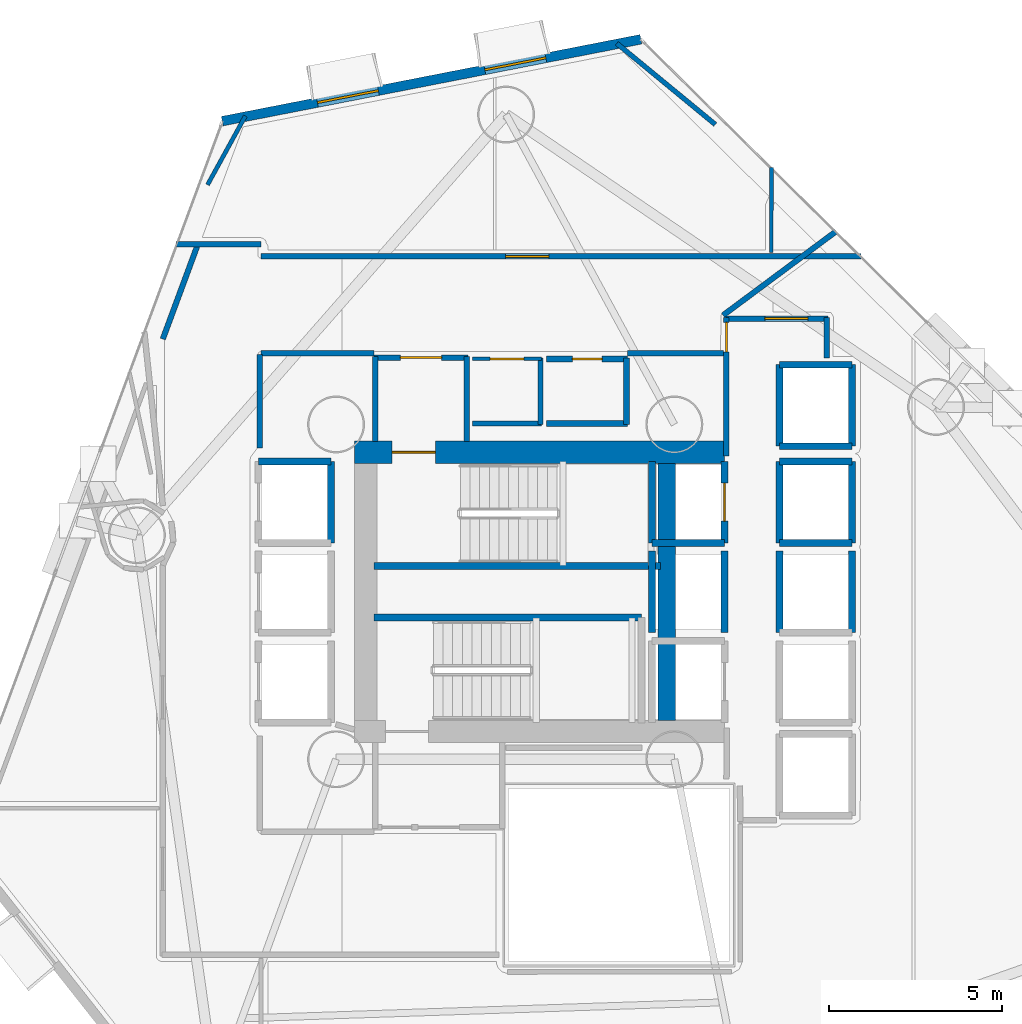
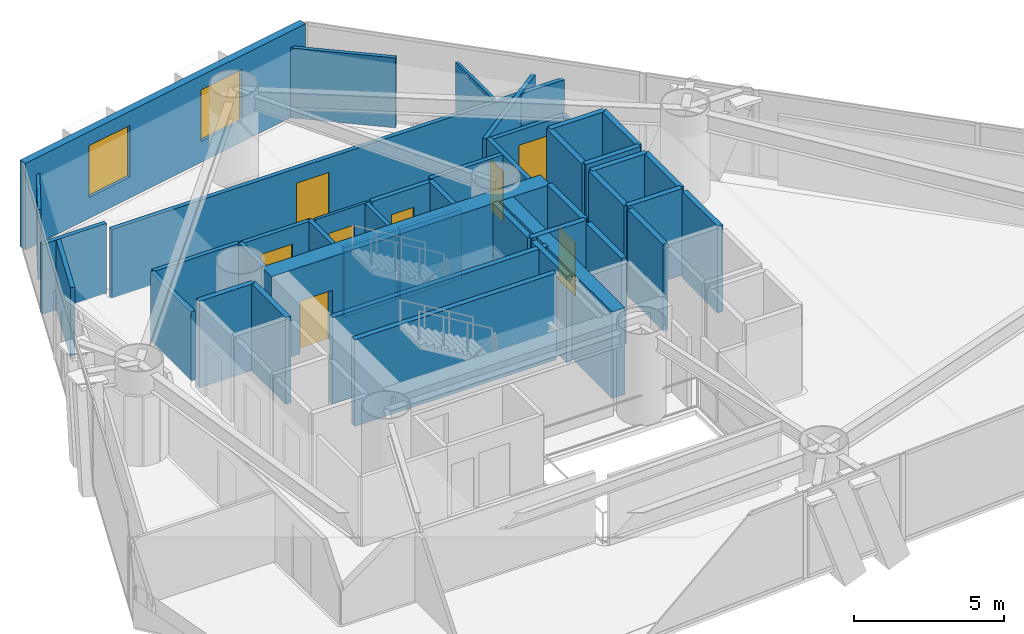
# One storey, part 19 of 24: 44 walls, 8 doors, 2 windows, 10 openings.
"""IFC4 building model written with IfcOpenShell, lengths in metres."""

from ifc_helpers import new_model, si_unit, direction, frame, frame_2d, origin, place, context, subcontext, project, spatial, rectangle, extrude, material, layer, layer_set, type_object, element, fill, save


model = new_model("IFC4")

# Units and contexts
model_context = context("Model", 3, precision=1e-05, world=origin(), true_north=direction((0.0, 1.0)))
body_context = subcontext(model_context, "Body", "Model", "MODEL_VIEW")
ifc_project = project(units=[si_unit("LENGTHUNIT", "METRE"), si_unit("AREAUNIT", "SQUARE_METRE"), si_unit("VOLUMEUNIT", "CUBIC_METRE"), si_unit("PLANEANGLEUNIT", "RADIAN"), si_unit("MASSUNIT", "GRAM", prefix="KILO")], contexts=[model_context])

# Site, building, storey
site_placement = place(None, origin())
site = spatial("IfcSite", under=ifc_project, at=site_placement, CompositionType="ELEMENT")
building_placement = place(site_placement, origin())
building = spatial("IfcBuilding", under=site, at=building_placement, Name="Qianvela Tower", CompositionType="ELEMENT")
storey_placement = place(building_placement, frame((0.0, 0.0, 59.89990234375)))
storey = spatial("IfcBuildingStorey", under=building, at=storey_placement, Name="L14", CompositionType="ELEMENT", Elevation=59.89990234375)

# Wall, openings, windows
ifc_material_1 = material(Name="Terracotta Cladding on Concrete C40", Category="masonry")
ifc_layer_1 = layer(ifc_material_1, 0.280029296875)
ifc_layer_set_1 = layer_set([ifc_layer_1], Name="Terracotta Cladding on Concrete C40")
wall_type_1 = type_object("IfcWallType", Name="TERRACOTTA-WALL-280", PredefinedType="SOLIDWALL", material=ifc_layer_set_1)
wall_1_placement = place(storey_placement, frame((37.43115234375, 44.7099609375, 0.0), z_axis=(0.0, 0.0, 1.0), x_axis=(-0.981405358604, -0.191946664738, 0.0)))
wall_1 = element("IfcWall", 1, at=wall_1_placement, inside=storey, type_object=wall_type_1, Name="L14 Terracotta Chamfer Facet Wall 3", PredefinedType="SOLIDWALL", context=body_context, shape_type="SweptSolid", body=[
    extrude(rectangle(XDim=12.35791015625, YDim=0.280029296875, at=frame_2d((6.178955078125, 0.0))), origin(), (0.0, 0.0, 1.0), 3.52001953125),
])
opening_1_placement = place(wall_1_placement, frame((2.807373046875, 0.0, 0.85009765625)))
opening_1 = element("IfcOpeningElement", 2, at=opening_1_placement, cuts=wall_1, Name="Opening W-01", PredefinedType="OPENING", context=body_context, shape_type="SweptSolid", body=[
    extrude(rectangle(XDim=1.800048828125, YDim=2.10009765625, at=frame_2d((0.89990234375, 1.050048828125))), frame((0.0, 0.14990234375, 0.0), z_axis=(0.0, -1.0, 0.0), x_axis=(1.0, 0.0, 0.0)), (0.0, 0.0, 1.0), 0.300048828125),
])
opening_2_placement = place(wall_1_placement, frame((7.75048828125, 0.0, 0.85009765625)))
opening_2 = element("IfcOpeningElement", 3, at=opening_2_placement, cuts=wall_1, Name="Opening W-01", PredefinedType="OPENING", context=body_context, shape_type="SweptSolid", body=[
    extrude(rectangle(XDim=1.800048828125, YDim=2.10009765625, at=frame_2d((0.89990234375, 1.050048828125))), frame((0.0, 0.14990234375, 0.0), z_axis=(0.0, -1.0, 0.0), x_axis=(1.0, 0.0, 0.0)), (0.0, 0.0, 1.0), 0.300048828125),
])
ifc_material_2 = material(Name="Thermally Broken Aluminium and Low-E Glass", Category="aluminium")
window_type = type_object("IfcWindowType", Name="WIN-TC-1800x2100", PartitioningType="DOUBLE_PANEL_VERTICAL", PredefinedType="WINDOW", material=ifc_material_2)
window_1_placement = place(opening_1_placement, origin())
window_1 = element("IfcWindow", 4, at=window_1_placement, inside=storey, type_object=window_type, Name="L14 Chamfer Facet Window 3.1", OverallHeight=2.10009765625, OverallWidth=1.800048828125, PartitioningType="SINGLE_PANEL", PredefinedType="WINDOW", context=body_context, shape_type="SweptSolid", body=[
    extrude(rectangle(XDim=1.800048828125, YDim=2.10009765625, at=frame_2d((0.89990234375, 1.050048828125))), frame((0.0, 0.030029296875, 0.0), z_axis=(0.0, -1.0, 0.0), x_axis=(1.0, 0.0, 0.0)), (0.0, 0.0, 1.0), 0.06005859375),
])
fill(opening_1, window_1)
window_2_placement = place(opening_2_placement, origin())
window_2 = element("IfcWindow", 5, at=window_2_placement, inside=storey, type_object=window_type, Name="L14 Chamfer Facet Window 3.2", OverallHeight=2.10009765625, OverallWidth=1.800048828125, PartitioningType="SINGLE_PANEL", PredefinedType="WINDOW", context=body_context, shape_type="SweptSolid", body=[
    extrude(rectangle(XDim=1.800048828125, YDim=2.10009765625, at=frame_2d((0.89990234375, 1.050048828125))), frame((0.0, 0.030029296875, 0.0), z_axis=(0.0, -1.0, 0.0), x_axis=(1.0, 0.0, 0.0)), (0.0, 0.0, 1.0), 0.06005859375),
])
fill(opening_2, window_2)

# Wall, opening, door
ifc_material_3 = material(Name="Concrete C60", Category="concrete")
ifc_layer_2 = layer(ifc_material_3, 0.64990234375)
ifc_layer_set_2 = layer_set([ifc_layer_2], Name="Concrete C60")
wall_type_2 = type_object("IfcWallType", Name="WT-CORE-650", PredefinedType="SHEAR", material=ifc_layer_set_2)
wall_2_placement = place(storey_placement, frame((29.1298828125, 32.7451171875, 0.0), z_axis=(0.0, 0.0, 1.0), x_axis=(1.0, 0.0, 0.0)))
wall_2 = element("IfcWall", 6, at=wall_2_placement, inside=storey, type_object=wall_type_2, Name="L14 North Core Shear Wall", PredefinedType="SHEAR", context=body_context, shape_type="SweptSolid", body=[
    extrude(rectangle(XDim=10.72021484375, YDim=0.64990234375, at=frame_2d((5.360107421875, 0.0))), origin(), (0.0, 0.0, 1.0), 3.52001953125),
])
opening_3_placement = place(wall_2_placement, frame((1.094970703125, 0.0, 0.0)))
opening_3 = element("IfcOpeningElement", 7, at=opening_3_placement, cuts=wall_2, Name="Opening D-ST1", PredefinedType="OPENING", context=body_context, shape_type="SweptSolid", body=[
    extrude(rectangle(XDim=1.25, YDim=2.14990234375, at=frame_2d((0.625, 1.074951171875))), frame((0.0, 0.3349609375, 0.0), z_axis=(0.0, -1.0, 0.0), x_axis=(1.0, 0.0, 0.0)), (0.0, 0.0, 1.0), 0.669921875),
])
ifc_material_4 = material(Name="Galvanised Fire Steel Q355B", Category="steel")
door_type_1 = type_object("IfcDoorType", Name="DT-STAIR-FD90", OperationType="NOTDEFINED", PredefinedType="DOOR", material=ifc_material_4)
door_1_placement = place(opening_3_placement, origin())
door_1 = element("IfcDoor", 8, at=door_1_placement, inside=storey, type_object=door_type_1, Name="L14 Stair ST-1 Exit Door", OperationType="SINGLE_SWING_RIGHT", OverallHeight=2.14990234375, OverallWidth=1.25, PredefinedType="DOOR", context=body_context, shape_type="SweptSolid", body=[
    extrude(rectangle(XDim=1.25, YDim=2.14990234375, at=frame_2d((0.625, 1.074951171875))), frame((0.0, 0.02490234375, 0.0), z_axis=(0.0, -1.0, 0.0), x_axis=(1.0, 0.0, 0.0)), (0.0, 0.0, 1.0), 0.050048828125),
])
fill(opening_3, door_1)

# Walls
wall_3_placement = place(storey_placement, frame((38.179931640625, 24.97998046875, 0.0), z_axis=(0.0, 0.0, 1.0), x_axis=(0.0, 1.0, 0.0)))
element("IfcWall", 9, at=wall_3_placement, inside=storey, type_object=wall_type_2, Name="L14 East Spine Core Shear Wall", PredefinedType="SHEAR", context=body_context, shape_type="SweptSolid", body=[
    extrude(rectangle(XDim=7.43994140625, YDim=0.5, at=frame_2d((3.719970703125, 0.0))), origin(), (0.0, 0.0, 1.0), 3.52001953125),
])
ifc_material_5 = material(Name="Fire-Rated Gypsum and Concrete Block", Category="concrete")
ifc_layer_3 = layer(ifc_material_5, 0.159912109375)
ifc_layer_set_3 = layer_set([ifc_layer_3], Name="Fire-Rated Gypsum and Concrete Block")
wall_type_3 = type_object("IfcWallType", Name="WT-CORR-160", PredefinedType="PARTITIONING", material=ifc_layer_set_3)
wall_4_placement = place(storey_placement, frame((29.73095703125, 33.05810546875, 0.0), z_axis=(0.0, 0.0, 1.0), x_axis=(0.0, 1.0, 0.0)))
element("IfcWall", 10, at=wall_4_placement, inside=storey, type_object=wall_type_3, Name="L14 Partition 2", PredefinedType="PARTITIONING", context=body_context, shape_type="SweptSolid", body=[
    extrude(rectangle(XDim=2.4619140625, YDim=0.159912109375, at=frame_2d((1.23095703125, 0.0))), origin(), (0.0, 0.0, 1.0), 2.840087890625),
])

# Wall, opening, door
wall_5_placement = place(storey_placement, frame((29.699951171875, 35.489013671875, 0.0), z_axis=(0.0, 0.0, 1.0), x_axis=(1.0, 0.0, 0.0)))
wall_5 = element("IfcWall", 11, at=wall_5_placement, inside=storey, type_object=wall_type_3, Name="L14 Partition 3", PredefinedType="PARTITIONING", context=body_context, shape_type="SweptSolid", body=[
    extrude(rectangle(XDim=2.719970703125, YDim=0.159912109375, at=frame_2d((1.35986328125, 0.0))), origin(), (0.0, 0.0, 1.0), 2.840087890625),
])
opening_4_placement = place(wall_5_placement, frame((0.760009765625, 0.0, 0.0)))
opening_4 = element("IfcOpeningElement", 12, at=opening_4_placement, cuts=wall_5, Name="Opening D-LB1", PredefinedType="OPENING", context=body_context, shape_type="SweptSolid", body=[
    extrude(rectangle(XDim=1.199951171875, YDim=2.14990234375, at=frame_2d((0.60009765625, 1.074951171875))), frame((0.0, 0.08984375, 0.0), z_axis=(0.0, -1.0, 0.0), x_axis=(1.0, 0.0, 0.0)), (0.0, 0.0, 1.0), 0.179931640625),
])
ifc_material_6 = material(Name="Glazed Fire-Rated Steel Frame", Category="steel")
door_type_2 = type_object("IfcDoorType", Name="DT-LOBBY-FD90", OperationType="NOTDEFINED", PredefinedType="DOOR", material=ifc_material_6)
door_2_placement = place(opening_4_placement, origin())
door_2 = element("IfcDoor", 13, at=door_2_placement, inside=storey, type_object=door_type_2, Name="L14 Door L14 Firefighting Lobby North to L14 Floor Corridor", OperationType="SINGLE_SWING_RIGHT", OverallHeight=2.14990234375, OverallWidth=1.199951171875, PredefinedType="DOOR", context=body_context, shape_type="SweptSolid", body=[
    extrude(rectangle(XDim=1.199951171875, YDim=2.14990234375, at=frame_2d((0.60009765625, 1.074951171875))), frame((0.0, 0.02490234375, 0.0), z_axis=(0.0, -1.0, 0.0), x_axis=(1.0, 0.0, 0.0)), (0.0, 0.0, 1.0), 0.050048828125),
])
fill(opening_4, door_2)

# Wall
wall_6_placement = place(storey_placement, frame((32.388916015625, 35.52001953125, 0.0), z_axis=(0.0, 0.0, 1.0), x_axis=(0.0, -1.0, 0.0)))
element("IfcWall", 14, at=wall_6_placement, inside=storey, type_object=wall_type_3, Name="L14 Partition 4", PredefinedType="PARTITIONING", context=body_context, shape_type="SweptSolid", body=[
    extrude(rectangle(XDim=2.4619140625, YDim=0.159912109375, at=frame_2d((1.23095703125, 0.0))), origin(), (0.0, 0.0, 1.0), 2.840087890625),
])

# Wall, opening, door
wall_7_placement = place(storey_placement, frame((39.910888671875, 32.639892578125, 0.0), z_axis=(0.0, 0.0, 1.0), x_axis=(0.0, 1.0, 0.0)))
wall_7 = element("IfcWall", 15, at=wall_7_placement, inside=storey, type_object=wall_type_3, Name="L14 Partition 10", PredefinedType="PARTITIONING", context=body_context, shape_type="SweptSolid", body=[
    extrude(rectangle(XDim=4.010009765625, YDim=0.159912109375, at=frame_2d((2.0048828125, 0.0))), origin(), (0.0, 0.0, 1.0), 2.840087890625),
])
opening_5_placement = place(wall_7_placement, frame((3.010009765625, 0.0, 0.0)))
opening_5 = element("IfcOpeningElement", 16, at=opening_5_placement, cuts=wall_7, Name="Opening D-LB2", PredefinedType="OPENING", context=body_context, shape_type="SweptSolid", body=[
    extrude(rectangle(XDim=0.860107421875, YDim=2.050048828125, at=frame_2d((0.43017578125, 1.02490234375))), frame((0.0, 0.08984375, 0.0), z_axis=(0.0, -1.0, 0.0), x_axis=(1.0, 0.0, 0.0)), (0.0, 0.0, 1.0), 0.179931640625),
])
ifc_material_7 = material(Name="Insulated Steel Fire Door Q355B", Category="steel")
door_type_3 = type_object("IfcDoorType", Name="DT-LOBBY-FD90-860", OperationType="NOTDEFINED", PredefinedType="DOOR", material=ifc_material_7)
door_3_placement = place(opening_5_placement, origin())
door_3 = element("IfcDoor", 17, at=door_3_placement, inside=storey, type_object=door_type_3, Name="L14 Door L14 Lift Lobby to L14 Floor Corridor", OperationType="SINGLE_SWING_RIGHT", OverallHeight=2.050048828125, OverallWidth=0.860107421875, PredefinedType="DOOR", context=body_context, shape_type="SweptSolid", body=[
    extrude(rectangle(XDim=0.860107421875, YDim=2.050048828125, at=frame_2d((0.43017578125, 1.02490234375))), frame((0.0, 0.02490234375, 0.0), z_axis=(0.0, -1.0, 0.0), x_axis=(1.0, 0.0, 0.0)), (0.0, 0.0, 1.0), 0.050048828125),
])
fill(opening_5, door_3)

wall_8_placement = place(storey_placement, frame((39.8798828125, 36.618896484375, 0.0), z_axis=(0.0, 0.0, 1.0), x_axis=(1.0, 0.0, 0.0)))
wall_8 = element("IfcWall", 18, at=wall_8_placement, inside=storey, type_object=wall_type_3, Name="L14 Partition 11", PredefinedType="PARTITIONING", context=body_context, shape_type="SweptSolid", body=[
    extrude(rectangle(XDim=2.97021484375, YDim=0.159912109375, at=frame_2d((1.485107421875, 0.0))), origin(), (0.0, 0.0, 1.0), 2.798095703125),
])
opening_6_placement = place(wall_8_placement, frame((1.140625, 0.0, 0.0)))
opening_6 = element("IfcOpeningElement", 19, at=opening_6_placement, cuts=wall_8, Name="Opening D-LG1", PredefinedType="OPENING", context=body_context, shape_type="SweptSolid", body=[
    extrude(rectangle(XDim=1.25, YDim=2.199951171875, at=frame_2d((0.625, 1.10009765625))), frame((0.0, 0.08984375, 0.0), z_axis=(0.0, -1.0, 0.0), x_axis=(1.0, 0.0, 0.0)), (0.0, 0.0, 1.0), 0.179931640625),
])
ifc_material_8 = material(Name="Anodised Aluminium Acoustic Glass Door", Category="aluminium")
door_type_4 = type_object("IfcDoorType", Name="DT-LOUNGE-1250", OperationType="NOTDEFINED", PredefinedType="DOOR", material=ifc_material_8)
door_4_placement = place(opening_6_placement, origin())
door_4 = element("IfcDoor", 20, at=door_4_placement, inside=storey, type_object=door_type_4, Name="L14 Door Student Fitness Gym L14-02 to L14 Lift Lobby", OperationType="SINGLE_SWING_LEFT", OverallHeight=2.199951171875, OverallWidth=1.25, PredefinedType="DOOR", context=body_context, shape_type="SweptSolid", body=[
    extrude(rectangle(XDim=1.25, YDim=2.199951171875, at=frame_2d((0.625, 1.10009765625))), frame((0.0, 0.02490234375, 0.0), z_axis=(0.0, -1.0, 0.0), x_axis=(1.0, 0.0, 0.0)), (0.0, 0.0, 1.0), 0.050048828125),
])
fill(opening_6, door_4)

# Walls
wall_9_placement = place(storey_placement, frame((42.819091796875, 36.64990234375, 0.0), z_axis=(0.0, 0.0, 1.0), x_axis=(0.0, -1.0, 0.0)))
element("IfcWall", 21, at=wall_9_placement, inside=storey, type_object=wall_type_3, Name="L14 Partition 12", PredefinedType="PARTITIONING", context=body_context, shape_type="SweptSolid", body=[
    extrude(rectangle(XDim=1.169921875, YDim=0.159912109375, at=frame_2d((0.5849609375, 0.0))), origin(), (0.0, 0.0, 1.0), 2.798095703125),
])
wall_10_placement = place(storey_placement, frame((23.5791015625, 36.02392578125, 0.0), z_axis=(0.0, 0.0, 1.0), x_axis=(0.347228067306, 0.93778071492, 0.0)))
element("IfcWall", 22, at=wall_10_placement, inside=storey, type_object=wall_type_3, Name="L14 Partition 40", PredefinedType="PARTITIONING", context=body_context, shape_type="SweptSolid", body=[
    extrude(rectangle(XDim=2.948974609375, YDim=0.159912109375, at=frame_2d((1.474609375, 0.0))), origin(), (0.0, 0.0, 1.0), 2.840087890625),
])
wall_11_placement = place(storey_placement, frame((23.96142578125, 38.76904296875, 0.0), z_axis=(0.0, 0.0, 1.0), x_axis=(1.0, 0.0, 0.0)))
element("IfcWall", 23, at=wall_11_placement, inside=storey, type_object=wall_type_3, Name="L14 Partition 41", PredefinedType="PARTITIONING", context=body_context, shape_type="SweptSolid", body=[
    extrude(rectangle(XDim=2.45849609375, YDim=0.159912109375, at=frame_2d((1.229248046875, 0.0))), origin(), (0.0, 0.0, 1.0), 2.840087890625),
])

# Wall, opening, door
wall_12_placement = place(storey_placement, frame((26.419921875, 38.4189453125, 0.0), z_axis=(0.0, 0.0, 1.0), x_axis=(1.0, 0.0, 0.0)))
wall_12 = element("IfcWall", 24, at=wall_12_placement, inside=storey, type_object=wall_type_3, Name="L14 Partition 42", PredefinedType="PARTITIONING", context=body_context, shape_type="SweptSolid", body=[
    extrude(rectangle(XDim=17.39453125, YDim=0.159912109375, at=frame_2d((8.697265625, 0.0))), origin(), (0.0, 0.0, 1.0), 2.798095703125),
])
opening_7_placement = place(wall_12_placement, frame((7.095458984375, 0.0, 0.0)))
opening_7 = element("IfcOpeningElement", 25, at=opening_7_placement, cuts=wall_12, Name="Opening D-LG1", PredefinedType="OPENING", context=body_context, shape_type="SweptSolid", body=[
    extrude(rectangle(XDim=1.25, YDim=2.199951171875, at=frame_2d((0.625, 1.10009765625))), frame((0.0, 0.08984375, 0.0), z_axis=(0.0, -1.0, 0.0), x_axis=(1.0, 0.0, 0.0)), (0.0, 0.0, 1.0), 0.179931640625),
])
door_5_placement = place(opening_7_placement, origin())
door_5 = element("IfcDoor", 26, at=door_5_placement, inside=storey, type_object=door_type_4, Name="L14 Door Social Sitting Lounge L14-04 to L14 Floor Corridor", OperationType="SINGLE_SWING_LEFT", OverallHeight=2.199951171875, OverallWidth=1.25, PredefinedType="DOOR", context=body_context, shape_type="SweptSolid", body=[
    extrude(rectangle(XDim=1.25, YDim=2.199951171875, at=frame_2d((0.625, 1.10009765625))), frame((0.0, 0.02490234375, 0.0), z_axis=(0.0, -1.0, 0.0), x_axis=(1.0, 0.0, 0.0)), (0.0, 0.0, 1.0), 0.050048828125),
])
fill(opening_7, door_5)

# Walls
wall_13_placement = place(storey_placement, frame((43.087646484375, 39.1455078125, 0.0), z_axis=(0.0, 0.0, 1.0), x_axis=(-0.802821627785, -0.596219283453, 0.0)))
element("IfcWall", 27, at=wall_13_placement, inside=storey, type_object=wall_type_3, Name="L14 Partition 43", PredefinedType="PARTITIONING", context=body_context, shape_type="SweptSolid", body=[
    extrude(rectangle(XDim=4.078125, YDim=0.159912109375, at=frame_2d((2.0390625, 0.0))), origin(), (0.0, 0.0, 1.0), 2.798095703125),
])
wall_14_placement = place(storey_placement, frame((39.818115234375, 35.611083984375, 0.0), z_axis=(0.0, 0.0, 1.0), x_axis=(-1.0, 0.0, 0.0)))
element("IfcWall", 28, at=wall_14_placement, inside=storey, type_object=wall_type_3, Name="L14 Partition 45 seg 1", PredefinedType="PARTITIONING", context=body_context, shape_type="SweptSolid", body=[
    extrude(rectangle(XDim=2.76806640625, YDim=0.159912109375, at=frame_2d((1.384033203125, 0.0))), origin(), (0.0, 0.0, 1.0), 2.840087890625),
])
wall_15_placement = place(storey_placement, frame((29.699951171875, 35.611083984375, 0.0), z_axis=(0.0, 0.0, 1.0), x_axis=(-1.0, 0.0, 0.0)))
element("IfcWall", 29, at=wall_15_placement, inside=storey, type_object=wall_type_3, Name="L14 Partition 45 seg 4", PredefinedType="PARTITIONING", context=body_context, shape_type="SweptSolid", body=[
    extrude(rectangle(XDim=3.280029296875, YDim=0.159912109375, at=frame_2d((1.64013671875, 0.0))), origin(), (0.0, 0.0, 1.0), 2.798095703125),
])
wall_16_placement = place(storey_placement, frame((26.388916015625, 35.580078125, 0.0), z_axis=(0.0, 0.0, 1.0), x_axis=(0.0, -1.0, 0.0)))
element("IfcWall", 30, at=wall_16_placement, inside=storey, type_object=wall_type_3, Name="L14 Partition 46", PredefinedType="PARTITIONING", context=body_context, shape_type="SweptSolid", body=[
    extrude(rectangle(XDim=2.71044921875, YDim=0.159912109375, at=frame_2d((1.355224609375, 0.0))), origin(), (0.0, 0.0, 1.0), 2.798095703125),
])

# Wall, opening, door
ifc_material_9 = material(Name="Lightweight Gypsum Room Partition")
ifc_layer_4 = layer(ifc_material_9, 0.10498046875)
ifc_layer_set_4 = layer_set([ifc_layer_4], Name="Lightweight Gypsum Room Partition")
wall_type_4 = type_object("IfcWallType", Name="WT-PART-105", PredefinedType="PARTITIONING", material=ifc_layer_set_4)
wall_17_placement = place(storey_placement, frame((32.550048828125, 35.448974609375, 0.0), z_axis=(0.0, 0.0, 1.0), x_axis=(1.0, 0.0, 0.0)))
wall_17 = element("IfcWall", 31, at=wall_17_placement, inside=storey, type_object=wall_type_4, Name="L14 Partition 20", PredefinedType="PARTITIONING", context=body_context, shape_type="SweptSolid", body=[
    extrude(rectangle(XDim=2.0, YDim=0.10498046875, at=frame_2d((1.0, 0.0))), origin(), (0.0, 0.0, 1.0), 2.840087890625),
])
opening_8_placement = place(wall_17_placement, frame((0.510009765625, 0.0, 0.0)))
opening_8 = element("IfcOpeningElement", 32, at=opening_8_placement, cuts=wall_17, Name="Opening D-RM1", PredefinedType="OPENING", context=body_context, shape_type="SweptSolid", body=[
    extrude(rectangle(XDim=0.97998046875, YDim=2.10009765625, at=frame_2d((0.489990234375, 1.050048828125))), frame((0.0, 0.0625, 0.0), z_axis=(0.0, -1.0, 0.0), x_axis=(1.0, 0.0, 0.0)), (0.0, 0.0, 1.0), 0.125),
])
ifc_material_10 = material(Name="Solid Core Acoustic Timber Fire Door", Category="wood")
door_type_5 = type_object("IfcDoorType", Name="DT-ROOM-FD60", OperationType="NOTDEFINED", PredefinedType="DOOR", material=ifc_material_10)
door_6_placement = place(opening_8_placement, origin())
door_6 = element("IfcDoor", 33, at=door_6_placement, inside=storey, type_object=door_type_5, Name="L14 Door L14 Cleaner Store to L14 Floor Corridor", OperationType="SINGLE_SWING_LEFT", OverallHeight=2.10009765625, OverallWidth=0.97998046875, PredefinedType="DOOR", context=body_context, shape_type="SweptSolid", body=[
    extrude(rectangle(XDim=0.97998046875, YDim=2.10009765625, at=frame_2d((0.489990234375, 1.050048828125))), frame((0.0, 0.02490234375, 0.0), z_axis=(0.0, -1.0, 0.0), x_axis=(1.0, 0.0, 0.0)), (0.0, 0.0, 1.0), 0.050048828125),
])
fill(opening_8, door_6)

# Walls
wall_18_placement = place(storey_placement, frame((41.212890625, 38.530029296875, 0.0), z_axis=(0.0, 0.0, 1.0), x_axis=(0.000694857883, 0.999999758586, 0.0)))
element("IfcWall", 34, at=wall_18_placement, inside=storey, type_object=wall_type_4, Name="L14 Partition 86", PredefinedType="PARTITIONING", context=body_context, shape_type="SweptSolid", body=[
    extrude(rectangle(XDim=2.45947265625, YDim=0.10498046875, at=frame_2d((1.229736328125, 0.0))), origin(), (0.0, 0.0, 1.0), 2.840087890625),
])
ifc_material_11 = material(Name="Insulated Gypsum Stud Partition")
ifc_layer_5 = layer(ifc_material_11, 0.1201171875)
ifc_layer_set_5 = layer_set([ifc_layer_5], Name="Insulated Gypsum Stud Partition")
wall_type_5 = type_object("IfcWallType", Name="WT-PART-120", PredefinedType="PARTITIONING", material=ifc_layer_set_5)
wall_19_placement = place(storey_placement, frame((24.87548828125, 40.492919921875, 0.0), z_axis=(0.0, 0.0, 1.0), x_axis=(0.482021727928, 0.876159262808, 0.0)))
element("IfcWall", 35, at=wall_19_placement, inside=storey, type_object=wall_type_5, Name="L14 Partition 103 seg 1", PredefinedType="PARTITIONING", context=body_context, shape_type="SweptSolid", body=[
    extrude(rectangle(XDim=2.275146484375, YDim=0.1201171875, at=frame_2d((1.1376953125, 0.0))), origin(), (0.0, 0.0, 1.0), 2.840087890625),
])
ifc_material_12 = material(Name="Moisture-Resistant Acoustic Plumbing Wall")
ifc_layer_6 = layer(ifc_material_12, 0.175048828125)
ifc_layer_set_6 = layer_set([ifc_layer_6], Name="Moisture-Resistant Acoustic Plumbing Wall")
wall_type_6 = type_object("IfcWallType", Name="WT-PLUMB-175", PredefinedType="PLUMBINGWALL", material=ifc_layer_set_6)
wall_20_placement = place(storey_placement, frame((37.050048828125, 33.5810546875, 0.0), z_axis=(0.0, 0.0, 1.0), x_axis=(-1.0, 0.0, 0.0)))
element("IfcWall", 36, at=wall_20_placement, inside=storey, type_object=wall_type_6, Name="L14 Partition 22", PredefinedType="PLUMBINGWALL", context=body_context, shape_type="SweptSolid", body=[
    extrude(rectangle(XDim=2.35009765625, YDim=0.175048828125, at=frame_2d((1.175048828125, 0.0))), origin(), (0.0, 0.0, 1.0), 2.840087890625),
])

# Wall, opening, door
wall_21_placement = place(storey_placement, frame((34.699951171875, 35.448974609375, 0.0), z_axis=(0.0, 0.0, 1.0), x_axis=(1.0, 0.0, 0.0)))
wall_21 = element("IfcWall", 37, at=wall_21_placement, inside=storey, type_object=wall_type_6, Name="L14 Partition 24", PredefinedType="PLUMBINGWALL", context=body_context, shape_type="SweptSolid", body=[
    extrude(rectangle(XDim=2.35009765625, YDim=0.175048828125, at=frame_2d((1.175048828125, 0.0))), origin(), (0.0, 0.0, 1.0), 2.840087890625),
])
opening_9_placement = place(wall_21_placement, frame((0.7451171875, 0.0, 0.0)))
opening_9 = element("IfcOpeningElement", 38, at=opening_9_placement, cuts=wall_21, Name="Opening D-WC1", PredefinedType="OPENING", context=body_context, shape_type="SweptSolid", body=[
    extrude(rectangle(XDim=0.860107421875, YDim=2.050048828125, at=frame_2d((0.43017578125, 1.02490234375))), frame((0.0, 0.097412109375, 0.0), z_axis=(0.0, -1.0, 0.0), x_axis=(1.0, 0.0, 0.0)), (0.0, 0.0, 1.0), 0.195068359375),
])
ifc_material_13 = material(Name="Moisture-Sealed Acoustic Timber Door", Category="wood")
door_type_6 = type_object("IfcDoorType", Name="DT-WC-860", OperationType="NOTDEFINED", PredefinedType="DOOR", material=ifc_material_13)
door_7_placement = place(opening_9_placement, origin())
door_7 = element("IfcDoor", 39, at=door_7_placement, inside=storey, type_object=door_type_6, Name="L14 Door L14 Accessible WC to L14 Floor Corridor", OperationType="SINGLE_SWING_RIGHT", OverallHeight=2.050048828125, OverallWidth=0.860107421875, PredefinedType="DOOR", context=body_context, shape_type="SweptSolid", body=[
    extrude(rectangle(XDim=0.860107421875, YDim=2.050048828125, at=frame_2d((0.43017578125, 1.02490234375))), frame((0.0, 0.02490234375, 0.0), z_axis=(0.0, -1.0, 0.0), x_axis=(1.0, 0.0, 0.0)), (0.0, 0.0, 1.0), 0.050048828125),
])
fill(opening_9, door_7)

# Walls
wall_22_placement = place(storey_placement, frame((37.01904296875, 35.47998046875, 0.0), z_axis=(0.0, 0.0, 1.0), x_axis=(0.0, -1.0, 0.0)))
element("IfcWall", 40, at=wall_22_placement, inside=storey, type_object=wall_type_6, Name="L14 Partition 25", PredefinedType="PLUMBINGWALL", context=body_context, shape_type="SweptSolid", body=[
    extrude(rectangle(XDim=1.929931640625, YDim=0.175048828125, at=frame_2d((0.96484375, 0.0))), origin(), (0.0, 0.0, 1.0), 2.840087890625),
])
ifc_material_14 = material(Name="Acoustic Double Gypsum Stud Partition")
ifc_layer_7 = layer(ifc_material_14, 0.139892578125)
ifc_layer_set_7 = layer_set([ifc_layer_7], Name="Acoustic Double Gypsum Stud Partition")
wall_type_7 = type_object("IfcWallType", Name="WT-ROOM-140", PredefinedType="PARTITIONING", material=ifc_layer_set_7)
wall_23_placement = place(storey_placement, frame((34.550048828125, 33.5810546875, 0.0), z_axis=(0.0, 0.0, 1.0), x_axis=(-1.0, 0.0, 0.0)))
element("IfcWall", 41, at=wall_23_placement, inside=storey, type_object=wall_type_7, Name="L14 Partition 18", PredefinedType="PARTITIONING", context=body_context, shape_type="SweptSolid", body=[
    extrude(rectangle(XDim=2.0, YDim=0.139892578125, at=frame_2d((1.0, 0.0))), origin(), (0.0, 0.0, 1.0), 2.840087890625),
])
wall_24_placement = place(storey_placement, frame((34.51904296875, 35.47998046875, 0.0), z_axis=(0.0, 0.0, 1.0), x_axis=(0.0, -1.0, 0.0)))
element("IfcWall", 42, at=wall_24_placement, inside=storey, type_object=wall_type_7, Name="L14 Partition 21", PredefinedType="PARTITIONING", context=body_context, shape_type="SweptSolid", body=[
    extrude(rectangle(XDim=1.929931640625, YDim=0.139892578125, at=frame_2d((0.96484375, 0.0))), origin(), (0.0, 0.0, 1.0), 2.840087890625),
])
wall_25_placement = place(storey_placement, frame((36.73291015625, 44.59033203125, 0.0), z_axis=(0.0, 0.0, 1.0), x_axis=(0.772126578901, -0.635468760959, 0.0)))
element("IfcWall", 43, at=wall_25_placement, inside=storey, type_object=wall_type_7, Name="L14 Partition 105 seg 1", PredefinedType="PARTITIONING", context=body_context, shape_type="SweptSolid", body=[
    extrude(rectangle(XDim=3.6962890625, YDim=0.139892578125, at=frame_2d((1.84814453125, 0.0))), origin(), (0.0, 0.0, 1.0), 2.840087890625),
])
ifc_material_15 = material(Name="Concrete C50", Category="concrete")
ifc_layer_8 = layer(ifc_material_15, 0.199951171875)
ifc_layer_set_8 = layer_set([ifc_layer_8], Name="Concrete C50")
wall_type_8 = type_object("IfcWallType", Name="WT-SHAFT-200", PredefinedType="SOLIDWALL", material=ifc_layer_set_8)
wall_26_placement = place(storey_placement, frame((29.699951171875, 29.449951171875, 0.0), z_axis=(0.0, 0.0, 1.0), x_axis=(1.0, 0.0, 0.0)))
element("IfcWall", 44, at=wall_26_placement, inside=storey, type_object=wall_type_8, Name="L14 Stair ST-1 South Wall", PredefinedType="SOLIDWALL", context=body_context, shape_type="SweptSolid", body=[
    extrude(rectangle(XDim=8.300048828125, YDim=0.199951171875, at=frame_2d((4.14990234375, 0.0))), origin(), (0.0, 0.0, 1.0), 3.52001953125),
])
wall_27_placement = place(storey_placement, frame((29.699951171875, 27.9599609375, 0.0), z_axis=(0.0, 0.0, 1.0), x_axis=(1.0, 0.0, 0.0)))
element("IfcWall", 45, at=wall_27_placement, inside=storey, type_object=wall_type_8, Name="L14 Stair ST-2 North Wall", PredefinedType="SOLIDWALL", context=body_context, shape_type="SweptSolid", body=[
    extrude(rectangle(XDim=7.75, YDim=0.199951171875, at=frame_2d((3.875, 0.0))), origin(), (0.0, 0.0, 1.0), 3.52001953125),
])

# Wall, opening, door
wall_28_placement = place(storey_placement, frame((39.85009765625, 30.1201171875, 0.0), z_axis=(0.0, 0.0, 1.0), x_axis=(0.0, 1.0, 0.0)))
wall_28 = element("IfcWall", 46, at=wall_28_placement, inside=storey, type_object=wall_type_8, Name="L14 Lift FL-1 E Shaft Wall", PredefinedType="SOLIDWALL", context=body_context, shape_type="SweptSolid", body=[
    extrude(rectangle(XDim=2.35986328125, YDim=0.199951171875, at=frame_2d((1.179931640625, 0.0))), origin(), (0.0, 0.0, 1.0), 3.52001953125),
])
opening_10_placement = place(wall_28_placement, frame((0.6298828125, 0.0, 0.0)))
opening_10 = element("IfcOpeningElement", 47, at=opening_10_placement, cuts=wall_28, Name="Opening LD-01", PredefinedType="OPENING", context=body_context, shape_type="SweptSolid", body=[
    extrude(rectangle(XDim=1.10009765625, YDim=2.14990234375, at=frame_2d((0.550048828125, 1.074951171875))), frame((0.0, 0.10986328125, 0.0), z_axis=(0.0, -1.0, 0.0), x_axis=(1.0, 0.0, 0.0)), (0.0, 0.0, 1.0), 0.219970703125),
])
ifc_material_16 = material(Name="Brushed Stainless Steel Lift Landing Door", Category="steel")
door_type_7 = type_object("IfcDoorType", Name="DT-LIFT-SLIDE-1100", OperationType="SLIDING_TO_LEFT", PredefinedType="DOOR", material=ifc_material_16)
door_8_placement = place(opening_10_placement, origin())
door_8 = element("IfcDoor", 48, at=door_8_placement, inside=storey, type_object=door_type_7, Name="L14 Lift FL-1 Sliding Landing Door", OperationType="SLIDING_TO_LEFT", OverallHeight=2.14990234375, OverallWidth=1.10009765625, PredefinedType="DOOR", context=body_context, shape_type="SweptSolid", body=[
    extrude(rectangle(XDim=1.10009765625, YDim=2.14990234375, at=frame_2d((0.550048828125, 1.074951171875))), frame((0.0, 0.02490234375, 0.0), z_axis=(0.0, -1.0, 0.0), x_axis=(1.0, 0.0, 0.0)), (0.0, 0.0, 1.0), 0.050048828125),
])
fill(opening_10, door_8)

# Walls
wall_29_placement = place(storey_placement, frame((37.75, 30.1201171875, 0.0), z_axis=(0.0, 0.0, 1.0), x_axis=(0.0, 1.0, 0.0)))
element("IfcWall", 49, at=wall_29_placement, inside=storey, type_object=wall_type_8, Name="L14 Lift FL-1 W Shaft Wall", PredefinedType="SOLIDWALL", context=body_context, shape_type="SweptSolid", body=[
    extrude(rectangle(XDim=2.35986328125, YDim=0.199951171875, at=frame_2d((1.179931640625, 0.0))), origin(), (0.0, 0.0, 1.0), 3.52001953125),
])
wall_30_placement = place(storey_placement, frame((37.75, 30.1201171875, 0.0), z_axis=(0.0, 0.0, 1.0), x_axis=(1.0, 0.0, 0.0)))
element("IfcWall", 50, at=wall_30_placement, inside=storey, type_object=wall_type_8, Name="L14 Lift FL-1 S Shaft Wall", PredefinedType="SOLIDWALL", context=body_context, shape_type="SweptSolid", body=[
    extrude(rectangle(XDim=2.10009765625, YDim=0.199951171875, at=frame_2d((1.050048828125, 0.0))), origin(), (0.0, 0.0, 1.0), 3.52001953125),
])
wall_31_placement = place(storey_placement, frame((28.449951171875, 30.1201171875, 0.0), z_axis=(0.0, 0.0, 1.0), x_axis=(0.0, 1.0, 0.0)))
element("IfcWall", 51, at=wall_31_placement, inside=storey, type_object=wall_type_8, Name="L14 Lift PL-L1 E Shaft Wall", PredefinedType="SOLIDWALL", context=body_context, shape_type="SweptSolid", body=[
    extrude(rectangle(XDim=2.35986328125, YDim=0.199951171875, at=frame_2d((1.179931640625, 0.0))), origin(), (0.0, 0.0, 1.0), 3.52001953125),
])
wall_32_placement = place(storey_placement, frame((26.35009765625, 32.47998046875, 0.0), z_axis=(0.0, 0.0, 1.0), x_axis=(1.0, 0.0, 0.0)))
element("IfcWall", 52, at=wall_32_placement, inside=storey, type_object=wall_type_8, Name="L14 Lift PL-L1 N Shaft Wall", PredefinedType="SOLIDWALL", context=body_context, shape_type="SweptSolid", body=[
    extrude(rectangle(XDim=2.099853515625, YDim=0.199951171875, at=frame_2d((1.0498046875, 0.0))), origin(), (0.0, 0.0, 1.0), 3.52001953125),
])
for number, where, z_axis, x_axis, name in (
    (53, (43.550048828125, 30.1201171875, 0.0), (0.0, 0.0, 1.0), (0.0, 1.0, 0.0), "L14 Lift PL-M1 E Shaft Wall"),
    (54, (41.449951171875, 30.1201171875, 0.0), (0.0, 0.0, 1.0), (0.0, 1.0, 0.0), "L14 Lift PL-M1 W Shaft Wall"),
):
    element("IfcWall", number, at=place(storey_placement, frame(where, z_axis=z_axis, x_axis=x_axis)), inside=storey, type_object=wall_type_8, Name=name, PredefinedType="SOLIDWALL", context=body_context, shape_type="SweptSolid", body=[
        extrude(rectangle(XDim=2.35986328125, YDim=0.199951171875, at=frame_2d((1.179931640625, 0.0))), origin(), (0.0, 0.0, 1.0), 3.52001953125),
    ])
for number, where, z_axis, x_axis, name in (
    (55, (41.449951171875, 32.47998046875, 0.0), (0.0, 0.0, 1.0), (1.0, 0.0, 0.0), "L14 Lift PL-M1 N Shaft Wall"),
    (56, (41.449951171875, 30.1201171875, 0.0), (0.0, 0.0, 1.0), (1.0, 0.0, 0.0), "L14 Lift PL-M1 S Shaft Wall"),
):
    element("IfcWall", number, at=place(storey_placement, frame(where, z_axis=z_axis, x_axis=x_axis)), inside=storey, type_object=wall_type_8, Name=name, PredefinedType="SOLIDWALL", context=body_context, shape_type="SweptSolid", body=[
        extrude(rectangle(XDim=2.10009765625, YDim=0.199951171875, at=frame_2d((1.050048828125, 0.0))), origin(), (0.0, 0.0, 1.0), 3.52001953125),
    ])
for number, where, z_axis, x_axis, name in (
    (57, (43.550048828125, 27.52001953125, 0.0), (0.0, 0.0, 1.0), (0.0, 1.0, 0.0), "L14 Lift PL-M2 E Shaft Wall"),
    (58, (41.449951171875, 27.52001953125, 0.0), (0.0, 0.0, 1.0), (0.0, 1.0, 0.0), "L14 Lift PL-M2 W Shaft Wall"),
    (59, (39.85009765625, 27.52001953125, 0.0), (0.0, 0.0, 1.0), (0.0, 1.0, 0.0), "L14 Lift PL-H1 E Shaft Wall"),
    (60, (37.75, 27.52001953125, 0.0), (0.0, 0.0, 1.0), (0.0, 1.0, 0.0), "L14 Lift PL-H1 W Shaft Wall"),
):
    element("IfcWall", number, at=place(storey_placement, frame(where, z_axis=z_axis, x_axis=x_axis)), inside=storey, type_object=wall_type_8, Name=name, PredefinedType="SOLIDWALL", context=body_context, shape_type="SweptSolid", body=[
        extrude(rectangle(XDim=2.35986328125, YDim=0.199951171875, at=frame_2d((1.179931640625, 0.0))), origin(), (0.0, 0.0, 1.0), 3.52001953125),
    ])
for number, where, z_axis, x_axis, name in (
    (61, (43.550048828125, 32.919921875, 0.0), (0.0, 0.0, 1.0), (0.0, 1.0, 0.0), "L14 Lift PL-H3 E Shaft Wall"),
    (62, (41.449951171875, 32.919921875, 0.0), (0.0, 0.0, 1.0), (0.0, 1.0, 0.0), "L14 Lift PL-H3 W Shaft Wall"),
):
    element("IfcWall", number, at=place(storey_placement, frame(where, z_axis=z_axis, x_axis=x_axis)), inside=storey, type_object=wall_type_8, Name=name, PredefinedType="SOLIDWALL", context=body_context, shape_type="SweptSolid", body=[
        extrude(rectangle(XDim=2.360107421875, YDim=0.199951171875, at=frame_2d((1.18017578125, 0.0))), origin(), (0.0, 0.0, 1.0), 3.52001953125),
    ])
for number, where, z_axis, x_axis, name in (
    (63, (41.449951171875, 35.280029296875, 0.0), (0.0, 0.0, 1.0), (1.0, 0.0, 0.0), "L14 Lift PL-H3 N Shaft Wall"),
    (64, (41.449951171875, 32.919921875, 0.0), (0.0, 0.0, 1.0), (1.0, 0.0, 0.0), "L14 Lift PL-H3 S Shaft Wall"),
):
    element("IfcWall", number, at=place(storey_placement, frame(where, z_axis=z_axis, x_axis=x_axis)), inside=storey, type_object=wall_type_8, Name=name, PredefinedType="SOLIDWALL", context=body_context, shape_type="SweptSolid", body=[
        extrude(rectangle(XDim=2.10009765625, YDim=0.199951171875, at=frame_2d((1.050048828125, 0.0))), origin(), (0.0, 0.0, 1.0), 3.52001953125),
    ])

save(model, "model.ifc")
